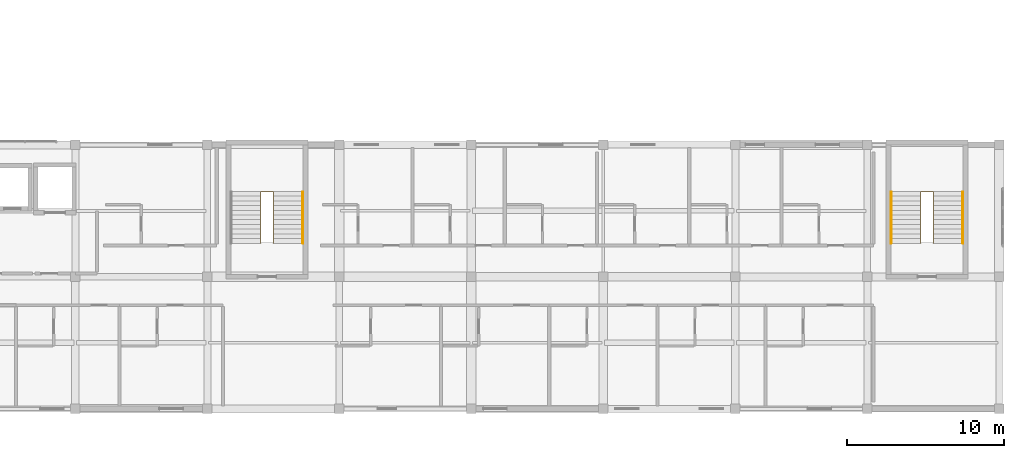
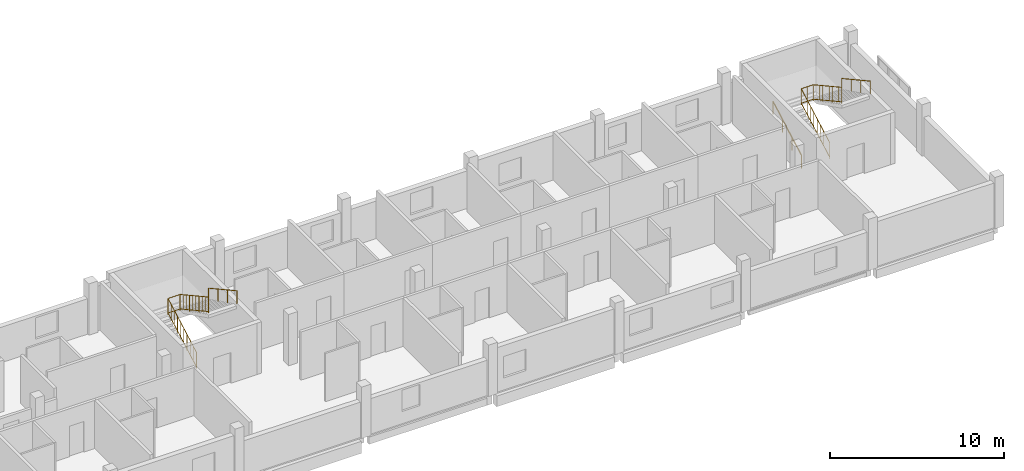
# One storey, part 24 of 24: 5 railings.
"""IFC4 building model written with IfcOpenShell, lengths in metres."""

from ifc_helpers import new_model, si_unit, derived_unit, direction, frame, origin, origin_2d, place, context, subcontext, project, spatial, circle, extrude, material, layer, layer_set, type_object, element, save


model = new_model("IFC4")

# Units and contexts
model_context = context("Model", 3, precision=1e-05, world=origin(), true_north=direction((0.0, 1.0)))
body_context = subcontext(model_context, "Body", "Model", "MODEL_VIEW")
ifc_project = project(units=[si_unit("LENGTHUNIT", "METRE"), si_unit("AREAUNIT", "SQUARE_METRE"), si_unit("VOLUMEUNIT", "CUBIC_METRE"), si_unit("PLANEANGLEUNIT", "RADIAN"), si_unit("MASSUNIT", "GRAM", prefix="KILO"), derived_unit("THERMALTRANSMITTANCEUNIT", [(si_unit("POWERUNIT", "WATT"), 1), (si_unit("LENGTHUNIT", "METRE"), -2), (si_unit("THERMODYNAMICTEMPERATUREUNIT", "KELVIN"), -1)])], contexts=[model_context])

# Site, building, storey
site_placement = place(None, origin())
site = spatial("IfcSite", under=ifc_project, at=site_placement, CompositionType="ELEMENT")
building_placement = place(site_placement, origin())
building = spatial("IfcBuilding", under=site, at=building_placement, Name="Barrovel Congress Hotel", CompositionType="ELEMENT")
storey_placement = place(building_placement, frame((0.0, 0.0, 29.10009765625)))
storey = spatial("IfcBuildingStorey", under=building, at=storey_placement, Name="L07", CompositionType="ELEMENT", Elevation=29.10009765625)

# Railings
ifc_material_1 = material(Name="Painted Architectural Steel", Category="steel")
ifc_layer_1 = layer(ifc_material_1, 0.070068359375)
ifc_layer_set_1 = layer_set([ifc_layer_1], Name="Painted Architectural Steel")
railing_type_1 = type_object("IfcRailingType", Name="RAIL-GUARD-INT", PredefinedType="BALUSTRADE", material=ifc_layer_set_1)
railing_1_placement = place(storey_placement, frame((104.199951171875, 14.739990234375, 0.0)))
element("IfcRailing", 1, at=railing_1_placement, inside=storey, type_object=railing_type_1, Name="STAIR:XS-03:L07:GR-W", PredefinedType="BALUSTRADE", context=body_context, shape_type="SweptSolid", body=[
    extrude(circle(Radius=0.02392578125, at=origin_2d()), frame((0.0, 0.0, 1.11572265625), z_axis=(0.0, 0.87606948578, 0.482184877495), x_axis=(-1.0, 0.0, 0.0)), (0.0, 0.0, 1.0), 3.732666015625),
    extrude(circle(Radius=0.02392578125, at=origin_2d()), frame((0.0, 0.0, 0.10009765625), z_axis=(0.0, 0.87606948578, 0.482184877495), x_axis=(-1.0, 0.0, 0.0)), (0.0, 0.0, 1.0), 3.732666015625),
    extrude(circle(Radius=0.010009765625, at=origin_2d()), frame((0.0, 0.36328125, 0.300048828125)), (0.0, 0.0, 1.0), 0.99169921875),
    extrude(circle(Radius=0.010009765625, at=origin_2d()), frame((0.0, 0.7265625, 0.5)), (0.0, 0.0, 1.0), 0.99169921875),
    extrude(circle(Radius=0.010009765625, at=origin_2d()), frame((0.0, 1.090087890625, 0.699951171875)), (0.0, 0.0, 1.0), 0.99169921875),
    extrude(circle(Radius=0.010009765625, at=origin_2d()), frame((0.0, 1.453369140625, 0.89990234375)), (0.0, 0.0, 1.0), 0.99169921875),
    extrude(circle(Radius=0.010009765625, at=origin_2d()), frame((0.0, 1.816650390625, 1.099853515625)), (0.0, 0.0, 1.0), 0.99169921875),
    extrude(circle(Radius=0.010009765625, at=origin_2d()), frame((0.0, 2.179931640625, 1.2998046875)), (0.0, 0.0, 1.0), 0.99169921875),
    extrude(circle(Radius=0.010009765625, at=origin_2d()), frame((0.0, 2.54345703125, 1.499755859375)), (0.0, 0.0, 1.0), 0.99169921875),
    extrude(circle(Radius=0.010009765625, at=origin_2d()), frame((0.0, 2.90673828125, 1.69970703125)), (0.0, 0.0, 1.0), 0.99169921875),
    extrude(circle(Radius=0.02392578125, at=origin_2d()), frame((0.0, 3.27001953125, 2.91552734375), z_axis=(1.0, 0.0, 0.0), x_axis=(0.0, 1.0, 0.0)), (0.0, 0.0, 1.0), 0.800048828125),
    extrude(circle(Radius=0.02392578125, at=origin_2d()), frame((0.0, 3.27001953125, 1.89990234375), z_axis=(1.0, 0.0, 0.0), x_axis=(0.0, 1.0, 0.0)), (0.0, 0.0, 1.0), 0.800048828125),
    extrude(circle(Radius=0.010009765625, at=origin_2d()), frame((0.39990234375, 3.27001953125, 1.89990234375)), (0.0, 0.0, 1.0), 0.99169921875),
    extrude(circle(Radius=0.02392578125, at=origin_2d()), frame((0.800048828125, 3.27001953125, 2.91552734375), z_axis=(0.0, -0.876041855244, 0.482235075311), x_axis=(1.0, 0.0, 0.0)), (0.0, 0.0, 1.0), 3.732666015625),
    extrude(circle(Radius=0.02392578125, at=origin_2d()), frame((0.800048828125, 3.27001953125, 1.89990234375), z_axis=(0.0, -0.876041855244, 0.482235075311), x_axis=(1.0, 0.0, 0.0)), (0.0, 0.0, 1.0), 3.732666015625),
    extrude(circle(Radius=0.010009765625, at=origin_2d()), frame((0.800048828125, 2.90673828125, 2.099853515625)), (0.0, 0.0, 1.0), 0.99169921875),
    extrude(circle(Radius=0.010009765625, at=origin_2d()), frame((0.800048828125, 2.54345703125, 2.2998046875)), (0.0, 0.0, 1.0), 0.99169921875),
    extrude(circle(Radius=0.010009765625, at=origin_2d()), frame((0.800048828125, 2.179931640625, 2.499755859375)), (0.0, 0.0, 1.0), 0.99169921875),
    extrude(circle(Radius=0.010009765625, at=origin_2d()), frame((0.800048828125, 1.816650390625, 2.69970703125)), (0.0, 0.0, 1.0), 0.99169921875),
    extrude(circle(Radius=0.010009765625, at=origin_2d()), frame((0.800048828125, 1.453369140625, 2.89990234375)), (0.0, 0.0, 1.0), 0.99169921875),
    extrude(circle(Radius=0.010009765625, at=origin_2d()), frame((0.800048828125, 1.090087890625, 3.099853515625)), (0.0, 0.0, 1.0), 0.99169921875),
    extrude(circle(Radius=0.010009765625, at=origin_2d()), frame((0.800048828125, 0.7265625, 3.2998046875)), (0.0, 0.0, 1.0), 0.99169921875),
    extrude(circle(Radius=0.010009765625, at=origin_2d()), frame((0.800048828125, 0.36328125, 3.499755859375)), (0.0, 0.0, 1.0), 0.99169921875),
    extrude(circle(Radius=0.02099609375, at=origin_2d()), origin(), (0.0, 0.0, 1.0), 1.091796875),
    extrude(circle(Radius=0.02099609375, at=origin_2d()), frame((0.0, 1.090087890625, 0.599853515625)), (0.0, 0.0, 1.0), 1.091796875),
    extrude(circle(Radius=0.02099609375, at=origin_2d()), frame((0.0, 2.179931640625, 1.199951171875)), (0.0, 0.0, 1.0), 1.091796875),
    extrude(circle(Radius=0.02099609375, at=origin_2d()), frame((0.0, 3.27001953125, 1.7998046875)), (0.0, 0.0, 1.0), 1.091796875),
    extrude(circle(Radius=0.02099609375, at=origin_2d()), frame((0.800048828125, 3.27001953125, 1.7998046875)), (0.0, 0.0, 1.0), 1.091796875),
    extrude(circle(Radius=0.02099609375, at=origin_2d()), frame((0.800048828125, 2.179931640625, 2.39990234375)), (0.0, 0.0, 1.0), 1.091796875),
    extrude(circle(Radius=0.02099609375, at=origin_2d()), frame((0.800048828125, 1.090087890625, 2.999755859375)), (0.0, 0.0, 1.0), 1.091796875),
    extrude(circle(Radius=0.02099609375, at=origin_2d()), frame((0.800048828125, 0.0, 3.599853515625)), (0.0, 0.0, 1.0), 1.091796875),
])
railing_2_placement = place(storey_placement, frame((146.199951171875, 14.739990234375, 0.0)))
element("IfcRailing", 2, at=railing_2_placement, inside=storey, type_object=railing_type_1, Name="STAIR:XS-04:L07:GR-W", PredefinedType="BALUSTRADE", context=body_context, shape_type="SweptSolid", body=[
    extrude(circle(Radius=0.02392578125, at=origin_2d()), frame((0.0, 0.0, 1.11572265625), z_axis=(0.0, 0.87606948578, 0.482184877495), x_axis=(-1.0, 0.0, 0.0)), (0.0, 0.0, 1.0), 3.732666015625),
    extrude(circle(Radius=0.02392578125, at=origin_2d()), frame((0.0, 0.0, 0.10009765625), z_axis=(0.0, 0.87606948578, 0.482184877495), x_axis=(-1.0, 0.0, 0.0)), (0.0, 0.0, 1.0), 3.732666015625),
    extrude(circle(Radius=0.010009765625, at=origin_2d()), frame((0.0, 0.36328125, 0.300048828125)), (0.0, 0.0, 1.0), 0.99169921875),
    extrude(circle(Radius=0.010009765625, at=origin_2d()), frame((0.0, 0.7265625, 0.5)), (0.0, 0.0, 1.0), 0.99169921875),
    extrude(circle(Radius=0.010009765625, at=origin_2d()), frame((0.0, 1.090087890625, 0.699951171875)), (0.0, 0.0, 1.0), 0.99169921875),
    extrude(circle(Radius=0.010009765625, at=origin_2d()), frame((0.0, 1.453369140625, 0.89990234375)), (0.0, 0.0, 1.0), 0.99169921875),
    extrude(circle(Radius=0.010009765625, at=origin_2d()), frame((0.0, 1.816650390625, 1.099853515625)), (0.0, 0.0, 1.0), 0.99169921875),
    extrude(circle(Radius=0.010009765625, at=origin_2d()), frame((0.0, 2.179931640625, 1.2998046875)), (0.0, 0.0, 1.0), 0.99169921875),
    extrude(circle(Radius=0.010009765625, at=origin_2d()), frame((0.0, 2.54345703125, 1.499755859375)), (0.0, 0.0, 1.0), 0.99169921875),
    extrude(circle(Radius=0.010009765625, at=origin_2d()), frame((0.0, 2.90673828125, 1.69970703125)), (0.0, 0.0, 1.0), 0.99169921875),
    extrude(circle(Radius=0.02392578125, at=origin_2d()), frame((0.0, 3.27001953125, 2.91552734375), z_axis=(1.0, 0.0, 0.0), x_axis=(0.0, 1.0, 0.0)), (0.0, 0.0, 1.0), 0.800048828125),
    extrude(circle(Radius=0.02392578125, at=origin_2d()), frame((0.0, 3.27001953125, 1.89990234375), z_axis=(1.0, 0.0, 0.0), x_axis=(0.0, 1.0, 0.0)), (0.0, 0.0, 1.0), 0.800048828125),
    extrude(circle(Radius=0.010009765625, at=origin_2d()), frame((0.39990234375, 3.27001953125, 1.89990234375)), (0.0, 0.0, 1.0), 0.99169921875),
    extrude(circle(Radius=0.02392578125, at=origin_2d()), frame((0.800048828125, 3.27001953125, 2.91552734375), z_axis=(0.0, -0.876041855244, 0.482235075311), x_axis=(1.0, 0.0, 0.0)), (0.0, 0.0, 1.0), 3.732666015625),
    extrude(circle(Radius=0.02392578125, at=origin_2d()), frame((0.800048828125, 3.27001953125, 1.89990234375), z_axis=(0.0, -0.876041855244, 0.482235075311), x_axis=(1.0, 0.0, 0.0)), (0.0, 0.0, 1.0), 3.732666015625),
    extrude(circle(Radius=0.010009765625, at=origin_2d()), frame((0.800048828125, 2.90673828125, 2.099853515625)), (0.0, 0.0, 1.0), 0.99169921875),
    extrude(circle(Radius=0.010009765625, at=origin_2d()), frame((0.800048828125, 2.54345703125, 2.2998046875)), (0.0, 0.0, 1.0), 0.99169921875),
    extrude(circle(Radius=0.010009765625, at=origin_2d()), frame((0.800048828125, 2.179931640625, 2.499755859375)), (0.0, 0.0, 1.0), 0.99169921875),
    extrude(circle(Radius=0.010009765625, at=origin_2d()), frame((0.800048828125, 1.816650390625, 2.69970703125)), (0.0, 0.0, 1.0), 0.99169921875),
    extrude(circle(Radius=0.010009765625, at=origin_2d()), frame((0.800048828125, 1.453369140625, 2.89990234375)), (0.0, 0.0, 1.0), 0.99169921875),
    extrude(circle(Radius=0.010009765625, at=origin_2d()), frame((0.800048828125, 1.090087890625, 3.099853515625)), (0.0, 0.0, 1.0), 0.99169921875),
    extrude(circle(Radius=0.010009765625, at=origin_2d()), frame((0.800048828125, 0.7265625, 3.2998046875)), (0.0, 0.0, 1.0), 0.99169921875),
    extrude(circle(Radius=0.010009765625, at=origin_2d()), frame((0.800048828125, 0.36328125, 3.499755859375)), (0.0, 0.0, 1.0), 0.99169921875),
    extrude(circle(Radius=0.02099609375, at=origin_2d()), origin(), (0.0, 0.0, 1.0), 1.091796875),
    extrude(circle(Radius=0.02099609375, at=origin_2d()), frame((0.0, 1.090087890625, 0.599853515625)), (0.0, 0.0, 1.0), 1.091796875),
    extrude(circle(Radius=0.02099609375, at=origin_2d()), frame((0.0, 2.179931640625, 1.199951171875)), (0.0, 0.0, 1.0), 1.091796875),
    extrude(circle(Radius=0.02099609375, at=origin_2d()), frame((0.0, 3.27001953125, 1.7998046875)), (0.0, 0.0, 1.0), 1.091796875),
    extrude(circle(Radius=0.02099609375, at=origin_2d()), frame((0.800048828125, 3.27001953125, 1.7998046875)), (0.0, 0.0, 1.0), 1.091796875),
    extrude(circle(Radius=0.02099609375, at=origin_2d()), frame((0.800048828125, 2.179931640625, 2.39990234375)), (0.0, 0.0, 1.0), 1.091796875),
    extrude(circle(Radius=0.02099609375, at=origin_2d()), frame((0.800048828125, 1.090087890625, 2.999755859375)), (0.0, 0.0, 1.0), 1.091796875),
    extrude(circle(Radius=0.02099609375, at=origin_2d()), frame((0.800048828125, 0.0, 3.599853515625)), (0.0, 0.0, 1.0), 1.091796875),
])
ifc_material_2 = material(Name="Brushed Stainless Steel", Category="steel")
ifc_layer_2 = layer(ifc_material_2, 0.050048828125)
ifc_layer_set_2 = layer_set([ifc_layer_2], Name="Brushed Stainless Steel")
railing_type_2 = type_object("IfcRailingType", Name="RAIL-HAND", PredefinedType="HANDRAIL", material=ifc_layer_set_2)
railing_3_placement = place(storey_placement, frame((106.8798828125, 18.010009765625, 1.7998046875)))
element("IfcRailing", 3, at=railing_3_placement, inside=storey, type_object=railing_type_2, Name="STAIR:XS-03:L07:HR-2", PredefinedType="HANDRAIL", context=body_context, shape_type="SweptSolid", body=[
    extrude(circle(Radius=0.02392578125, at=origin_2d()), frame((0.0, 0.0, 0.89599609375), z_axis=(0.0, -0.876041855244, 0.482235075311), x_axis=(1.0, 0.0, 0.0)), (0.0, 0.0, 1.0), 3.732666015625),
    extrude(circle(Radius=0.02099609375, at=origin_2d()), origin(), (0.0, 0.0, 1.0), 0.871826171875),
    extrude(circle(Radius=0.02099609375, at=origin_2d()), frame((0.0, -1.090087890625, 0.60009765625)), (0.0, 0.0, 1.0), 0.871826171875),
    extrude(circle(Radius=0.02099609375, at=origin_2d()), frame((0.0, -2.179931640625, 1.199951171875)), (0.0, 0.0, 1.0), 0.871826171875),
    extrude(circle(Radius=0.02099609375, at=origin_2d()), frame((0.0, -3.27001953125, 1.800048828125)), (0.0, 0.0, 1.0), 0.871826171875),
])
railing_4_placement = place(storey_placement, frame((144.320068359375, 14.739990234375, 0.0)))
element("IfcRailing", 4, at=railing_4_placement, inside=storey, type_object=railing_type_2, Name="STAIR:XS-04:L07:HR-1", PredefinedType="HANDRAIL", context=body_context, shape_type="SweptSolid", body=[
    extrude(circle(Radius=0.02392578125, at=origin_2d()), frame((0.0, 0.0, 0.89599609375), z_axis=(0.0, 0.87606948578, 0.482184877495), x_axis=(-1.0, 0.0, 0.0)), (0.0, 0.0, 1.0), 3.732666015625),
    extrude(circle(Radius=0.02099609375, at=origin_2d()), origin(), (0.0, 0.0, 1.0), 0.871826171875),
    extrude(circle(Radius=0.02099609375, at=origin_2d()), frame((0.0, 1.090087890625, 0.599853515625)), (0.0, 0.0, 1.0), 0.871826171875),
    extrude(circle(Radius=0.02099609375, at=origin_2d()), frame((0.0, 2.179931640625, 1.199951171875)), (0.0, 0.0, 1.0), 0.871826171875),
    extrude(circle(Radius=0.02099609375, at=origin_2d()), frame((0.0, 3.27001953125, 1.7998046875)), (0.0, 0.0, 1.0), 0.871826171875),
])
railing_5_placement = place(storey_placement, frame((148.8798828125, 18.010009765625, 1.7998046875)))
element("IfcRailing", 5, at=railing_5_placement, inside=storey, type_object=railing_type_2, Name="STAIR:XS-04:L07:HR-2", PredefinedType="HANDRAIL", context=body_context, shape_type="SweptSolid", body=[
    extrude(circle(Radius=0.02392578125, at=origin_2d()), frame((0.0, 0.0, 0.89599609375), z_axis=(0.0, -0.876041855244, 0.482235075311), x_axis=(1.0, 0.0, 0.0)), (0.0, 0.0, 1.0), 3.732666015625),
    extrude(circle(Radius=0.02099609375, at=origin_2d()), origin(), (0.0, 0.0, 1.0), 0.871826171875),
    extrude(circle(Radius=0.02099609375, at=origin_2d()), frame((0.0, -1.090087890625, 0.60009765625)), (0.0, 0.0, 1.0), 0.871826171875),
    extrude(circle(Radius=0.02099609375, at=origin_2d()), frame((0.0, -2.179931640625, 1.199951171875)), (0.0, 0.0, 1.0), 0.871826171875),
    extrude(circle(Radius=0.02099609375, at=origin_2d()), frame((0.0, -3.27001953125, 1.800048828125)), (0.0, 0.0, 1.0), 0.871826171875),
])

save(model, "model.ifc")
